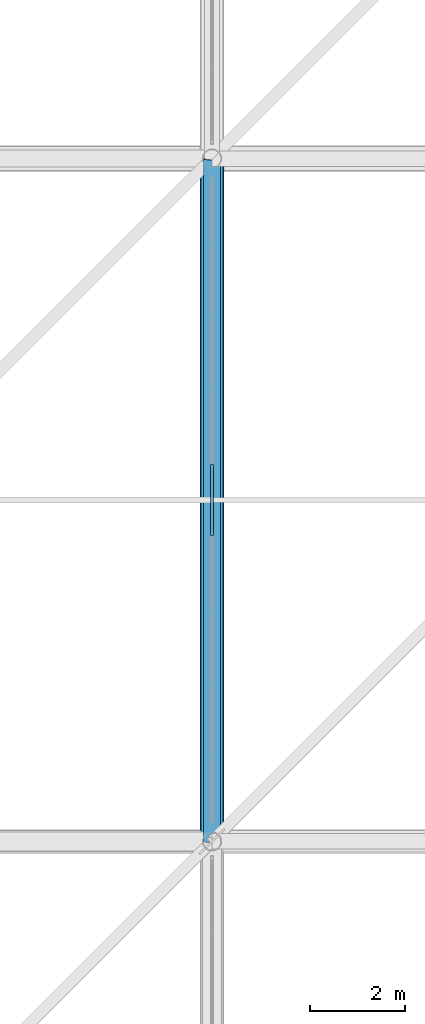
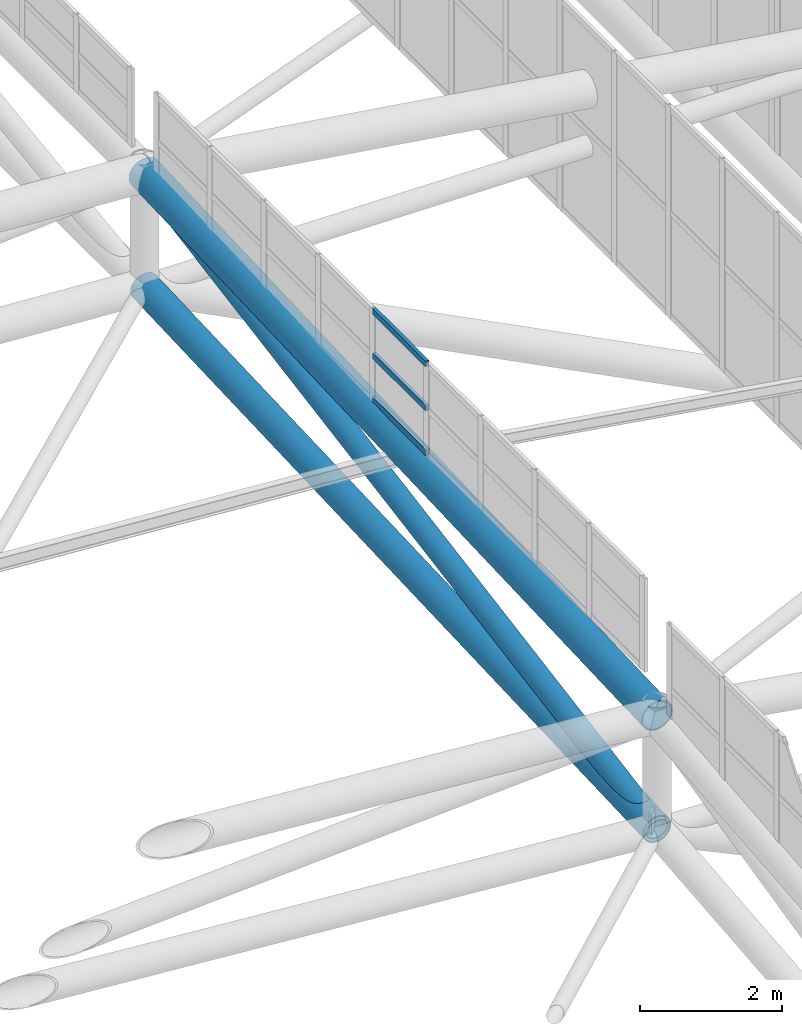
# One storey, part 158 of 397: 4 members, 2 beams, 1 element without a shape of its own.
"""IFC4 building model written with IfcOpenShell, lengths in metres."""

import ifcopenshell
import ifcopenshell.guid

model = None  # the IFC model being written
_history = None  # IfcOwnerHistory: only IFC2X3 demands one
_inside = {}  # id of a spatial element -> (the spatial element, [elements in it])
_under = {}  # id of a project, library or spatial element -> (it, [spatial elements below it])
_declared = {}  # id of a project -> (the project, [libraries it declares])
_typed = {}  # id of a type object -> (the type object, [elements of that type])
_made_of = {}  # id of a material, layer set ... -> (it, [elements and type objects made of it])


def new_model(schema):
    """Start an empty IFC model of exactly this schema.

    Asked for "IFC4X3", IfcOpenShell would pick the latest addendum, in which some entities
    have other attributes; the version numbers below select the first issue.
    IFC2X3 requires an IfcOwnerHistory on every rooted entity: one is made here for all.
    """
    global model, _history
    if schema == "IFC4X3":
        model = ifcopenshell.file(schema_version=(4, 3, 0, 0))
    else:
        model = ifcopenshell.file(schema=schema)
    _inside.clear()
    _under.clear()
    _declared.clear()
    _typed.clear()
    _made_of.clear()
    _history = None
    if model.schema == "IFC2X3":
        org = make("IfcOrganization", Name="unknown")
        user = make(
            "IfcPersonAndOrganization",
            ThePerson=make("IfcPerson", FamilyName="unknown"),
            TheOrganization=org,
        )
        app = make(
            "IfcApplication",
            ApplicationDeveloper=org,
            Version="unknown",
            ApplicationFullName="unknown",
            ApplicationIdentifier="unknown",
        )
        _history = make(
            "IfcOwnerHistory",
            OwningUser=user,
            OwningApplication=app,
            ChangeAction="ADDED",
            CreationDate=0,
        )
    return model


def make(cls, **values):
    """One entity of the class cls with the attributes given. An attribute that is None is left unset."""
    return model.create_entity(
        cls, **{name: value for name, value in values.items() if value is not None}
    )


def rooted(cls, **values):
    """An entity with a GlobalId (a new one), such as an element, a storey or a relation."""
    return make(cls, GlobalId=ifcopenshell.guid.new(), OwnerHistory=_history, **values)


def si_unit(unit_type, name, prefix=None):
    """IfcSIUnit, for example si_unit("LENGTHUNIT", "METRE", prefix="MILLI")."""
    return make("IfcSIUnit", UnitType=unit_type, Prefix=prefix, Name=name)


def assignment(units):
    """IfcUnitAssignment: the units of a project."""
    return None if units is None else make("IfcUnitAssignment", Units=units)


def point(xyz):
    """IfcCartesianPoint."""
    return None if xyz is None else make("IfcCartesianPoint", Coordinates=xyz)


def direction(xyz):
    """IfcDirection."""
    return None if xyz is None else make("IfcDirection", DirectionRatios=xyz)


def frame(location, z_axis=None, x_axis=None):
    """IfcAxis2Placement3D, a coordinate frame: its origin and axes. An axis left out is left unset."""
    return make(
        "IfcAxis2Placement3D",
        Location=point(location),
        Axis=direction(z_axis),
        RefDirection=direction(x_axis),
    )


def frame_2d(location, x_axis=None):
    """IfcAxis2Placement2D, a coordinate frame in the plane: its origin and x axis."""
    return make(
        "IfcAxis2Placement2D", Location=point(location), RefDirection=direction(x_axis)
    )


def origin():
    """The frame at (0, 0, 0) with its axes left unset."""
    return frame((0.0, 0.0, 0.0))


def origin_2d():
    """The frame at (0, 0) in the plane with its x axis left unset."""
    return frame_2d((0.0, 0.0))


def place(relative_to, where):
    """IfcLocalPlacement: puts the frame where relative to a parent placement (None: the world)."""
    return make(
        "IfcLocalPlacement", PlacementRelTo=relative_to, RelativePlacement=where
    )


def context(
    kind, dimensions, precision=None, world=None, true_north=None, identifier=None
):
    """IfcGeometricRepresentationContext, for example the 3D "Model" context."""
    return make(
        "IfcGeometricRepresentationContext",
        ContextIdentifier=identifier,
        ContextType=kind,
        CoordinateSpaceDimension=dimensions,
        Precision=precision,
        WorldCoordinateSystem=world,
        TrueNorth=true_north,
    )


def subcontext(parent, identifier, kind, view, scale=None):
    """IfcGeometricRepresentationSubContext, for example "Body" below "Model"."""
    return make(
        "IfcGeometricRepresentationSubContext",
        ContextIdentifier=identifier,
        ContextType=kind,
        ParentContext=parent,
        TargetScale=scale,
        TargetView=view,
    )


def project(units=None, contexts=None):
    """IfcProject with its units and contexts."""
    return rooted(
        "IfcProject",
        Name="project",
        RepresentationContexts=contexts,
        UnitsInContext=assignment(units),
    )


def spatial(cls, under=None, at=None, **own):
    """A site, building, storey or space (cls), placed at a placement, below another one or the project."""
    s = rooted(cls, ObjectPlacement=at, **own)
    if under is not None:
        _under.setdefault(under.id(), (under, []))[1].append(s)
    return s


def profile(cls, at=None, kind="AREA", **sizes):
    """A parametric profile (cls). Its sizes go by their IFC names, for example OverallWidth=200.0."""
    return make(cls, ProfileType=kind, Position=at, **sizes)


def hollow_rectangle(**sizes):
    """IfcRectangleHollowProfileDef."""
    return profile("IfcRectangleHollowProfileDef", **sizes)


def hollow_circle(**sizes):
    """IfcCircleHollowProfileDef."""
    return profile("IfcCircleHollowProfileDef", **sizes)


def extrude(swept, where, along, depth):
    """IfcExtrudedAreaSolid: the profile swept, set in the frame where, extruded along a direction by depth."""
    return make(
        "IfcExtrudedAreaSolid",
        SweptArea=swept,
        Position=where,
        ExtrudedDirection=direction(along),
        Depth=depth,
    )


def shape(context_of_items, identifier, shape_type, items):
    """IfcShapeRepresentation: the items that make up one representation, for example the "Body"."""
    return make(
        "IfcShapeRepresentation",
        ContextOfItems=context_of_items,
        RepresentationIdentifier=identifier,
        RepresentationType=shape_type,
        Items=items,
    )


def material(Name=None, Category=None):
    """IfcMaterial."""
    return make("IfcMaterial", Name=Name, Category=Category)


def material_profile(
    of_material, cross_section, Name=None, Category=None, Priority=None
):
    """IfcMaterialProfile: a cross section and its material."""
    return make(
        "IfcMaterialProfile",
        Name=Name,
        Material=of_material,
        Profile=cross_section,
        Priority=Priority,
        Category=Category,
    )


def profile_set(profiles, Name=None, composite=None):
    """IfcMaterialProfileSet."""
    return make(
        "IfcMaterialProfileSet",
        Name=Name,
        MaterialProfiles=profiles,
        CompositeProfile=composite,
    )


def made_of(thing, what):
    """Note that an element or type object is made of a material, layer set ...; save() writes the relation."""
    if what is not None:
        _made_of.setdefault(what.id(), (what, []))[1].append(thing)
    return thing


def type_object(cls, material=None, **own):
    """A type object (cls), such as IfcWallType, which elements share."""
    return made_of(rooted(cls, **own), material)


def element(
    cls,
    number,
    at=None,
    inside=None,
    cuts=None,
    type_object=None,
    material=None,
    context=None,
    identifier="Body",
    shape_type=None,
    held_by="IfcProductDefinitionShape",
    body=None,
    shapes=None,
    **own,
):
    """One element of the class cls, such as IfcWall. Its Tag is "e" and its number.

    at: its placement. inside: the storey or other place that contains it. cuts: it is an
    opening in that element (IfcRelVoidsElement). A single representation is given by context,
    identifier, shape_type and body (its items); several are given by shapes. held_by: the class
    of the entity that holds the representations. save() writes the other relations.
    """
    e = rooted(cls, Tag="e%d" % number, ObjectPlacement=at, **own)
    if body is not None:
        shapes = [shape(context, identifier, shape_type, body)]
    if shapes is not None:
        e.Representation = make(held_by, Representations=shapes)
    if inside is not None:
        _inside.setdefault(inside.id(), (inside, []))[1].append(e)
    if cuts is not None:
        rooted(
            "IfcRelVoidsElement", RelatingBuildingElement=cuts, RelatedOpeningElement=e
        )
    if type_object is not None:
        _typed.setdefault(type_object.id(), (type_object, []))[1].append(e)
    return made_of(e, material)


def aggregate(whole, parts):
    """IfcRelAggregates: a whole, such as a stair, and the parts it consists of."""
    return rooted("IfcRelAggregates", RelatingObject=whole, RelatedObjects=parts)


def save(model, path):
    """Write the relations noted so far, then the file.

    IfcRelAggregates (storeys below a building ...), IfcRelContainedInSpatialStructure (elements
    in a storey), IfcRelDefinesByType, IfcRelAssociatesMaterial and IfcRelDeclares: one each for
    every whole, place, type object, material and project.
    """
    for whole, parts in _under.values():
        aggregate(whole, parts)
    for where, things in _inside.values():
        rooted(
            "IfcRelContainedInSpatialStructure",
            RelatedElements=things,
            RelatingStructure=where,
        )
    for kind, things in _typed.values():
        rooted("IfcRelDefinesByType", RelatedObjects=things, RelatingType=kind)
    for what, things in _made_of.values():
        rooted("IfcRelAssociatesMaterial", RelatedObjects=things, RelatingMaterial=what)
    for by, libraries in _declared.values():
        rooted("IfcRelDeclares", RelatingContext=by, RelatedDefinitions=libraries)
    model.write(path)


model = new_model("IFC4")

# Units and contexts
model_context = context("Model", 3, precision=1e-05, world=origin(), true_north=direction((0.0, 1.0)))
body_context = subcontext(model_context, "Body", "Model", "MODEL_VIEW")
ifc_project = project(units=[si_unit("LENGTHUNIT", "METRE"), si_unit("AREAUNIT", "SQUARE_METRE"), si_unit("VOLUMEUNIT", "CUBIC_METRE"), si_unit("PLANEANGLEUNIT", "RADIAN"), si_unit("MASSUNIT", "GRAM", prefix="KILO")], contexts=[model_context])

# Site, building, storey
site_placement = place(None, origin())
site = spatial("IfcSite", under=ifc_project, at=site_placement, CompositionType="ELEMENT")
building_placement = place(site_placement, origin())
building = spatial("IfcBuilding", under=site, at=building_placement, Name="Qandorah Velis Arena", CompositionType="ELEMENT")
storey_placement = place(building_placement, frame((0.0, 0.0, 27.5)))
storey = spatial("IfcBuildingStorey", under=building, at=storey_placement, Name="RF", CompositionType="ELEMENT", Elevation=27.5)

# Curtain wall, members
ifc_material_1 = material(Name="Solar-control low-E double glazing", Category="glass")
curtain_wall_type = type_object("IfcCurtainWallType", Name="ARC-CW-SYS12", PredefinedType="USERDEFINED", material=ifc_material_1)
curtain_wall_placement = place(storey_placement, origin())
curtain_wall = element("IfcCurtainWall", 1, at=curtain_wall_placement, inside=storey, type_object=curtain_wall_type, Name="Unitised curtain wall OCULUS-2-2", ObjectType="UNITISED CURTAIN WALL", PredefinedType="USERDEFINED")
ifc_material_2 = material(Name="Champagne-bronze anodized aluminium 6063-T6", Category="aluminium")
ifc_material_profile_1 = material_profile(ifc_material_2, hollow_rectangle(XDim=0.054931640625, YDim=0.10009765625, WallThickness=0.0029296875, at=origin_2d()), Name="ALU TRANSOM 55x100")
ifc_profile_set_1 = profile_set([ifc_material_profile_1], Name="Champagne-bronze anodized aluminium 6063-T6")
member_type_1 = type_object("IfcMemberType", Name="ARC-CWT-100", PredefinedType="USERDEFINED", material=ifc_profile_set_1)
member_1_placement = place(storey_placement, frame((100.800048828125, 49.654296875, 9.455078125), z_axis=(0.0, 1.0, 0.0), x_axis=(-1.0, 0.0, 0.0)))
member_1 = element("IfcMember", 2, at=member_1_placement, type_object=member_type_1, Name="CW12 transom 5.1", ObjectType="TRANSOM", PredefinedType="USERDEFINED", context=body_context, shape_type="SweptSolid", body=[
    extrude(hollow_rectangle(XDim=0.054931640625, YDim=0.10009765625, WallThickness=0.0029296875, at=origin_2d()), origin(), (0.0, 0.0, 1.0), 1.4912109375),
])
member_2_placement = place(storey_placement, frame((100.800048828125, 49.654296875, 10.2138671875), z_axis=(0.0, 1.0, 0.0), x_axis=(-1.0, 0.0, 0.0)))
member_2 = element("IfcMember", 3, at=member_2_placement, type_object=member_type_1, Name="CW12 transom 5.2", ObjectType="TRANSOM", PredefinedType="USERDEFINED", context=body_context, shape_type="SweptSolid", body=[
    extrude(hollow_rectangle(XDim=0.054931640625, YDim=0.10009765625, WallThickness=0.0029296875, at=origin_2d()), origin(), (0.0, 0.0, 1.0), 1.4912109375),
])
member_3_placement = place(storey_placement, frame((100.800048828125, 49.654296875, 10.972412109375), z_axis=(0.0, 1.0, 0.0), x_axis=(-1.0, 0.0, 0.0)))
member_3 = element("IfcMember", 4, at=member_3_placement, type_object=member_type_1, Name="CW12 transom 5.3", ObjectType="TRANSOM", PredefinedType="USERDEFINED", context=body_context, shape_type="SweptSolid", body=[
    extrude(hollow_rectangle(XDim=0.054931640625, YDim=0.10009765625, WallThickness=0.0029296875, at=origin_2d()), origin(), (0.0, 0.0, 1.0), 1.4912109375),
])
aggregate(curtain_wall, [member_1, member_2, member_3])

# Beams
ifc_material_3 = material(Name="Steel S355", Category="steel")
ifc_material_profile_2 = material_profile(ifc_material_3, hollow_circle(Radius=0.228515625, WallThickness=0.01611328125, at=origin_2d()), Name="CHS 457x16")
ifc_profile_set_2 = profile_set([ifc_material_profile_2], Name="Steel S355")
beam_type_1 = type_object("IfcBeamType", Name="STR-SFC-CHS457X16", PredefinedType="USERDEFINED", material=ifc_profile_set_2)
beam_1_placement = place(storey_placement, frame((100.800048828125, 43.199951171875, 6.90771484375), z_axis=(0.0, 0.99920252752, 0.039928799101), x_axis=(-1.0, 0.0, 0.0)))
element("IfcBeam", 5, at=beam_1_placement, inside=storey, type_object=beam_type_1, Name="Space frame roof truss bottom chord Y 6.2", ObjectType="ROOF TRUSS", PredefinedType="USERDEFINED", context=body_context, shape_type="SweptSolid", body=[
    extrude(hollow_circle(Radius=0.228515625, WallThickness=0.01611328125, at=origin_2d()), origin(), (0.0, 0.0, 1.0), 14.41162109375),
])
ifc_material_profile_3 = material_profile(ifc_material_3, hollow_circle(Radius=0.25390625, WallThickness=0.02001953125, at=origin_2d()), Name="CHS 508x20")
ifc_profile_set_3 = profile_set([ifc_material_profile_3], Name="Steel S355")
beam_type_2 = type_object("IfcBeamType", Name="STR-SFC-CHS508X20", PredefinedType="USERDEFINED", material=ifc_profile_set_3)
beam_2_placement = place(storey_placement, frame((100.800048828125, 43.199951171875, 8.857666015625), z_axis=(0.0, 0.99920252752, 0.039928799101), x_axis=(-1.0, 0.0, 0.0)))
element("IfcBeam", 6, at=beam_2_placement, inside=storey, type_object=beam_type_2, Name="Space frame roof truss top chord Y 6.2", ObjectType="ROOF TRUSS", PredefinedType="USERDEFINED", context=body_context, shape_type="SweptSolid", body=[
    extrude(hollow_circle(Radius=0.25390625, WallThickness=0.02001953125, at=origin_2d()), origin(), (0.0, 0.0, 1.0), 14.41162109375),
])

# Member
ifc_material_profile_4 = material_profile(ifc_material_3, hollow_circle(Radius=0.177734375, WallThickness=0.012451171875, at=origin_2d()), Name="CHS 355.6x12.5")
ifc_profile_set_4 = profile_set([ifc_material_profile_4], Name="Steel S355")
member_type_2 = type_object("IfcMemberType", Name="STR-SFD-CHS355X12", PredefinedType="STRUT", material=ifc_profile_set_4)
member_4_placement = place(storey_placement, frame((100.800048828125, 43.199951171875, 6.90771484375), z_axis=(0.0, 0.984968092256, 0.172736380759), x_axis=(-1.0, 0.0, 0.0)))
element("IfcMember", 7, at=member_4_placement, inside=storey, type_object=member_type_2, Name="Space frame roof diagonal Y 6.2", PredefinedType="STRUT", context=body_context, shape_type="SweptSolid", body=[
    extrude(hollow_circle(Radius=0.177734375, WallThickness=0.012451171875, at=origin_2d()), origin(), (0.0, 0.0, 1.0), 14.619873046875),
])

save(model, "model.ifc")
